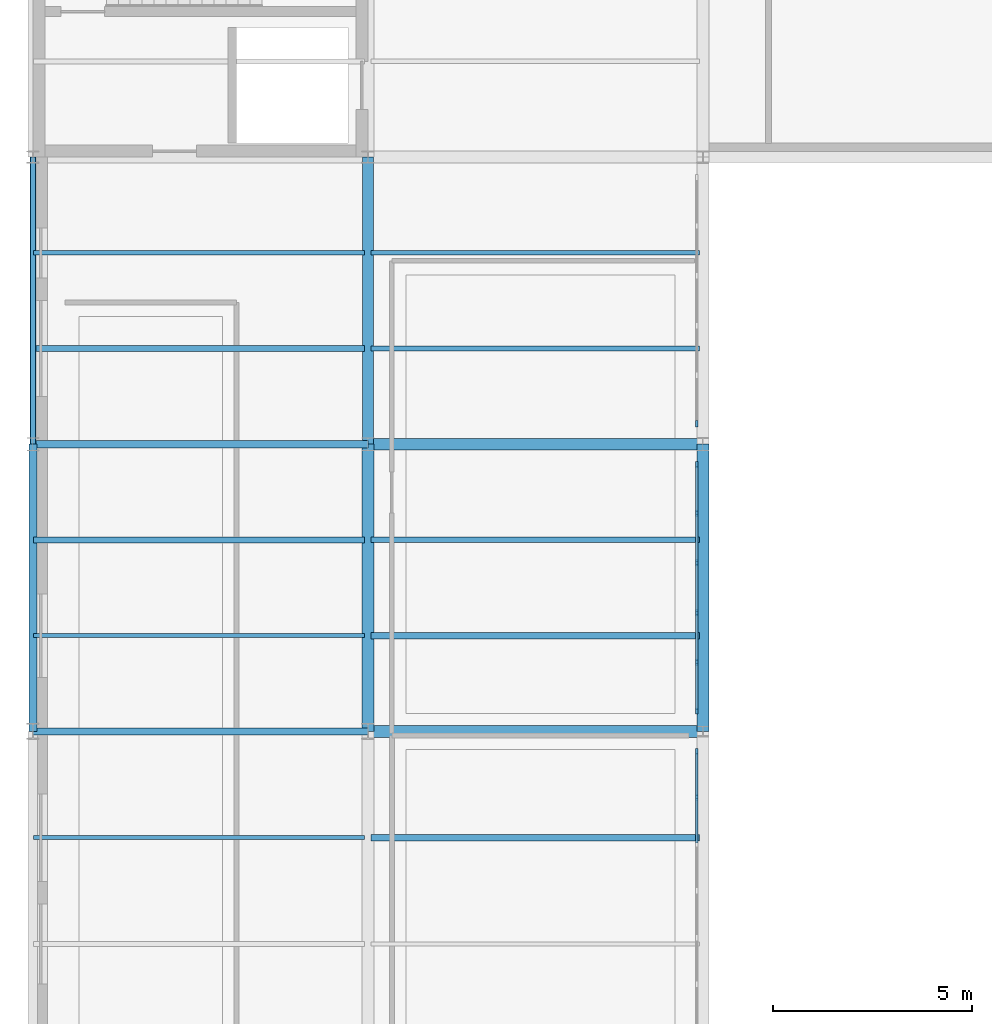
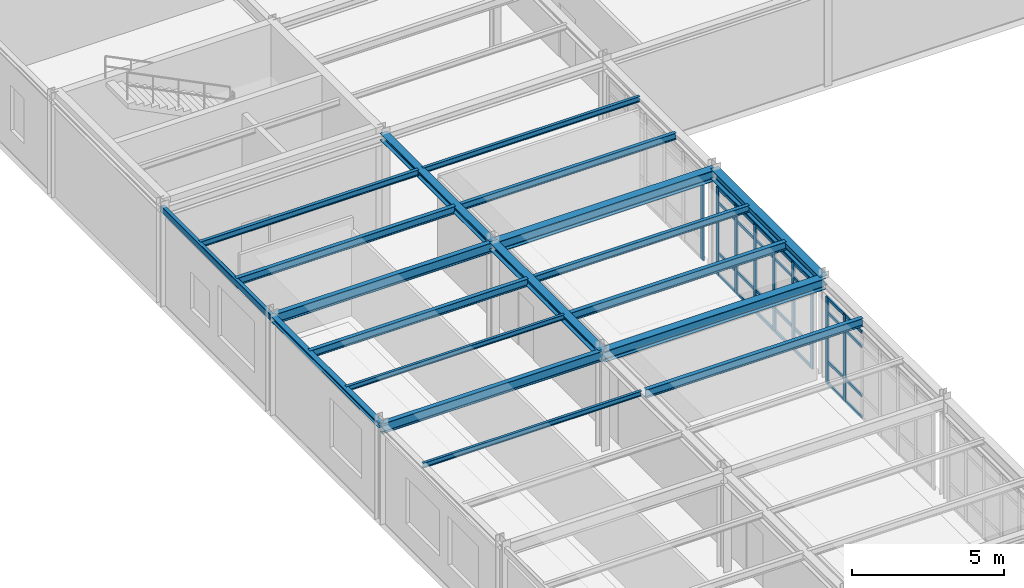
# One storey, part 41 of 90: 37 members, 19 beams, 3 elements without a shape of their own.
"""IFC4 building model written with IfcOpenShell, lengths in metres."""

from ifc_helpers import new_model, si_unit, derived_unit, direction, frame, origin, origin_2d, place, context, subcontext, project, spatial, rectangle, hollow_rectangle, i_section, extrude, material, layer, layer_set, material_profile, profile_set, type_object, element, aggregate, save


model = new_model("IFC4")

# Units and contexts
model_context = context("Model", 3, precision=1e-05, world=origin(), true_north=direction((0.0, 1.0)))
body_context = subcontext(model_context, "Body", "Model", "MODEL_VIEW")
ifc_project = project(units=[si_unit("LENGTHUNIT", "METRE"), si_unit("AREAUNIT", "SQUARE_METRE"), si_unit("VOLUMEUNIT", "CUBIC_METRE"), si_unit("PLANEANGLEUNIT", "RADIAN"), si_unit("MASSUNIT", "GRAM", prefix="KILO"), derived_unit("THERMALTRANSMITTANCEUNIT", [(si_unit("POWERUNIT", "WATT"), 1), (si_unit("AREAUNIT", "SQUARE_METRE"), -1), (si_unit("THERMODYNAMICTEMPERATUREUNIT", "KELVIN"), -1)])], contexts=[model_context])

# Site, building, storey
site_placement = place(None, origin())
site = spatial("IfcSite", under=ifc_project, at=site_placement, CompositionType="ELEMENT")
building_placement = place(site_placement, origin())
building = spatial("IfcBuilding", under=site, at=building_placement, Name="Yasenodar Specialist Clinic", CompositionType="ELEMENT")
storey_placement = place(building_placement, frame((0.0, 0.0, 9.0)))
storey = spatial("IfcBuildingStorey", under=building, at=storey_placement, Name="L02", CompositionType="ELEMENT", Elevation=9.0)

# Beams
ifc_material_1 = material(Name="Steel S355", Category="steel")
ifc_material_profile_1 = material_profile(ifc_material_1, i_section(OverallWidth=0.300048828125, OverallDepth=0.43994140625, WebThickness=0.011474609375, FlangeThickness=0.02099609375, FilletRadius=0.027099609375, at=origin_2d()), Name="HEA 450")
ifc_profile_set_1 = profile_set([ifc_material_profile_1], Name="Steel S355")
beam_type_1 = type_object("IfcBeamType", Name="BM-HEA450", PredefinedType="BEAM", material=ifc_profile_set_1)
for number, where, z_axis, x_axis, name in (
    (1, (8.39990234375, 82.800048828125, 3.72998046875), (1.0, 0.0, 0.0), (0.0, 1.0, 0.0), "L02 Primary E-W Girder"),
    (2, (8.39990234375, 90.0, 3.72998046875), (1.0, 0.0, 0.0), (0.0, 1.0, 0.0), "L02 Primary E-W Girder"),
):
    element("IfcBeam", number, at=place(storey_placement, frame(where, z_axis=z_axis, x_axis=x_axis)), inside=storey, type_object=beam_type_1, Name=name, PredefinedType="BEAM", context=body_context, shape_type="SweptSolid", body=[
        extrude(i_section(OverallWidth=0.300048828125, OverallDepth=0.43994140625, WebThickness=0.011474609375, FlangeThickness=0.02099609375, FilletRadius=0.027099609375, at=origin_2d()), origin(), (0.0, 0.0, 1.0), 8.400146484375),
    ])
ifc_material_profile_2 = material_profile(ifc_material_1, i_section(OverallWidth=0.280029296875, OverallDepth=0.280029296875, WebThickness=0.010498046875, FlangeThickness=0.01806640625, FilletRadius=0.02392578125, at=origin_2d()), Name="HEB 280")
ifc_profile_set_2 = profile_set([ifc_material_profile_2], Name="Steel S355")
beam_type_2 = type_object("IfcBeamType", Name="BM-HEB280", PredefinedType="BEAM", material=ifc_profile_set_2)
beam_1_placement = place(storey_placement, frame((8.39990234375, 90.0, 3.81005859375), z_axis=(0.0, 1.0, 0.0), x_axis=(-1.0, 0.0, 0.0)))
element("IfcBeam", 3, at=beam_1_placement, inside=storey, type_object=beam_type_2, Name="L02 Primary N-S Girder", PredefinedType="BEAM", context=body_context, shape_type="SweptSolid", body=[
    extrude(i_section(OverallWidth=0.280029296875, OverallDepth=0.280029296875, WebThickness=0.010498046875, FlangeThickness=0.01806640625, FilletRadius=0.02392578125, at=origin_2d()), origin(), (0.0, 0.0, 1.0), 7.199951171875),
])
ifc_material_profile_3 = material_profile(ifc_material_1, i_section(OverallWidth=0.300048828125, OverallDepth=0.300048828125, WebThickness=0.010986328125, FlangeThickness=0.01904296875, FilletRadius=0.027099609375, at=origin_2d()), Name="HEB 300")
ifc_profile_set_3 = profile_set([ifc_material_profile_3], Name="Steel S355")
beam_type_3 = type_object("IfcBeamType", Name="BM-HEB300", PredefinedType="BEAM", material=ifc_profile_set_3)
beam_2_placement = place(storey_placement, frame((8.39990234375, 82.800048828125, 3.800048828125), z_axis=(0.0, 1.0, 0.0), x_axis=(-1.0, 0.0, 0.0)))
element("IfcBeam", 4, at=beam_2_placement, inside=storey, type_object=beam_type_3, Name="L02 Primary N-S Girder", PredefinedType="BEAM", context=body_context, shape_type="SweptSolid", body=[
    extrude(i_section(OverallWidth=0.300048828125, OverallDepth=0.300048828125, WebThickness=0.010986328125, FlangeThickness=0.01904296875, FilletRadius=0.027099609375, at=origin_2d()), origin(), (0.0, 0.0, 1.0), 7.199951171875),
])
ifc_material_profile_4 = material_profile(ifc_material_1, i_section(OverallWidth=0.300048828125, OverallDepth=0.39990234375, WebThickness=0.013427734375, FlangeThickness=0.02392578125, FilletRadius=0.027099609375, at=origin_2d()), Name="HEB 400")
ifc_profile_set_4 = profile_set([ifc_material_profile_4], Name="Steel S355")
beam_type_4 = type_object("IfcBeamType", Name="BM-HEB400", PredefinedType="BEAM", material=ifc_profile_set_4)
beam_3_placement = place(storey_placement, frame((16.800048828125, 82.800048828125, 3.75), z_axis=(0.0, 1.0, 0.0), x_axis=(-1.0, 0.0, 0.0)))
element("IfcBeam", 5, at=beam_3_placement, inside=storey, type_object=beam_type_4, Name="L02 Primary N-S Girder", PredefinedType="BEAM", context=body_context, shape_type="SweptSolid", body=[
    extrude(i_section(OverallWidth=0.300048828125, OverallDepth=0.39990234375, WebThickness=0.013427734375, FlangeThickness=0.02392578125, FilletRadius=0.027099609375, at=origin_2d()), origin(), (0.0, 0.0, 1.0), 7.199951171875),
])
ifc_material_profile_5 = material_profile(ifc_material_1, i_section(OverallWidth=0.179931640625, OverallDepth=0.39990234375, WebThickness=0.008544921875, FlangeThickness=0.013427734375, FilletRadius=0.02099609375, at=origin_2d()), Name="IPE 400")
ifc_profile_set_5 = profile_set([ifc_material_profile_5], Name="Steel S355")
beam_type_5 = type_object("IfcBeamType", Name="BM-IPE400", PredefinedType="BEAM", material=ifc_profile_set_5)
for number, where, z_axis, x_axis, name in (
    (6, (0.0, 82.800048828125, 3.75), (1.0, 0.0, 0.0), (0.0, 1.0, 0.0), "L02 Primary E-W Girder"),
    (7, (0.0, 90.0, 3.75), (1.0, 0.0, 0.0), (0.0, 1.0, 0.0), "L02 Primary E-W Girder"),
):
    element("IfcBeam", number, at=place(storey_placement, frame(where, z_axis=z_axis, x_axis=x_axis)), inside=storey, type_object=beam_type_5, Name=name, PredefinedType="BEAM", context=body_context, shape_type="SweptSolid", body=[
        extrude(i_section(OverallWidth=0.179931640625, OverallDepth=0.39990234375, WebThickness=0.008544921875, FlangeThickness=0.013427734375, FilletRadius=0.02099609375, at=origin_2d()), origin(), (0.0, 0.0, 1.0), 8.39990234375),
    ])

# Curtain wall, member
ifc_material_2 = material(Name="Bronze Anodized Aluminium and Triple Low-E Glass", Category="aluminium")
ifc_layer = layer(ifc_material_2, 0.202880859375)
ifc_layer_set = layer_set([ifc_layer], Name="Bronze Anodized Aluminium and Triple Low-E Glass")
curtain_wall_type = type_object("IfcCurtainWallType", Name="CW-SYS-04", PredefinedType="USERDEFINED", material=ifc_layer_set)
curtain_wall_1_placement = place(storey_placement, origin())
curtain_wall_1 = element("IfcCurtainWall", 8, at=curtain_wall_1_placement, inside=storey, type_object=curtain_wall_type, Name="L02 Unitised Curtain Wall 126", ObjectType="UNITISED CURTAIN WALL", PredefinedType="USERDEFINED")
ifc_material_3 = material(Name="Bronze Anodized Aluminium", Category="aluminium")
ifc_material_profile_6 = material_profile(ifc_material_3, rectangle(XDim=0.06005859375, YDim=0.159912109375, at=origin_2d()), Name="CW-MULL 60x160")
ifc_profile_set_6 = profile_set([ifc_material_profile_6], Name="Bronze Anodized Aluminium")
member_type_1 = type_object("IfcMemberType", Name="CW-MULL-160", PredefinedType="MULLION", material=ifc_profile_set_6)
member_1_placement = place(storey_placement, frame((16.64990234375, 90.510009765625, 0.0), z_axis=(0.0, 0.0, 1.0), x_axis=(1.0, 0.0, 0.0)))
member_1 = element("IfcMember", 9, at=member_1_placement, type_object=member_type_1, Name="CW-04 mullion 6", PredefinedType="MULLION", context=body_context, shape_type="SweptSolid", body=[
    extrude(rectangle(XDim=0.06005859375, YDim=0.159912109375, at=origin_2d()), origin(), (0.0, 0.0, 1.0), 3.587890625),
])
aggregate(curtain_wall_1, [member_1])

# Curtain wall, members
curtain_wall_2_placement = place(storey_placement, origin())
curtain_wall_2 = element("IfcCurtainWall", 10, at=curtain_wall_2_placement, inside=storey, type_object=curtain_wall_type, Name="L02 Unitised Curtain Wall 127", ObjectType="UNITISED CURTAIN WALL", PredefinedType="USERDEFINED")
member_2_placement = place(storey_placement, frame((16.64990234375, 89.489990234375, 0.0), z_axis=(0.0, 0.0, 1.0), x_axis=(1.0, 0.0, 0.0)))
member_2 = element("IfcMember", 11, at=member_2_placement, type_object=member_type_1, Name="CW-04 mullion 1", PredefinedType="MULLION", context=body_context, shape_type="SweptSolid", body=[
    extrude(rectangle(XDim=0.06005859375, YDim=0.159912109375, at=origin_2d()), origin(), (0.0, 0.0, 1.0), 3.528076171875),
])
member_3_placement = place(storey_placement, frame((16.64990234375, 88.27197265625, 0.0), z_axis=(0.0, 0.0, 1.0), x_axis=(1.0, 0.0, 0.0)))
member_3 = element("IfcMember", 12, at=member_3_placement, type_object=member_type_1, Name="CW-04 mullion 2", PredefinedType="MULLION", context=body_context, shape_type="SweptSolid", body=[
    extrude(rectangle(XDim=0.06005859375, YDim=0.159912109375, at=origin_2d()), origin(), (0.0, 0.0, 1.0), 3.528076171875),
])
member_4_placement = place(storey_placement, frame((16.64990234375, 87.02392578125, 0.0), z_axis=(0.0, 0.0, 1.0), x_axis=(1.0, 0.0, 0.0)))
member_4 = element("IfcMember", 13, at=member_4_placement, type_object=member_type_1, Name="CW-04 mullion 3", PredefinedType="MULLION", context=body_context, shape_type="SweptSolid", body=[
    extrude(rectangle(XDim=0.06005859375, YDim=0.159912109375, at=origin_2d()), origin(), (0.0, 0.0, 1.0), 3.528076171875),
])
member_5_placement = place(storey_placement, frame((16.64990234375, 85.77587890625, 0.0), z_axis=(0.0, 0.0, 1.0), x_axis=(1.0, 0.0, 0.0)))
member_5 = element("IfcMember", 14, at=member_5_placement, type_object=member_type_1, Name="CW-04 mullion 4", PredefinedType="MULLION", context=body_context, shape_type="SweptSolid", body=[
    extrude(rectangle(XDim=0.06005859375, YDim=0.159912109375, at=origin_2d()), origin(), (0.0, 0.0, 1.0), 3.528076171875),
])
member_6_placement = place(storey_placement, frame((16.64990234375, 84.528076171875, 0.0), z_axis=(0.0, 0.0, 1.0), x_axis=(1.0, 0.0, 0.0)))
member_6 = element("IfcMember", 15, at=member_6_placement, type_object=member_type_1, Name="CW-04 mullion 5", PredefinedType="MULLION", context=body_context, shape_type="SweptSolid", body=[
    extrude(rectangle(XDim=0.06005859375, YDim=0.159912109375, at=origin_2d()), origin(), (0.0, 0.0, 1.0), 3.528076171875),
])
member_7_placement = place(storey_placement, frame((16.64990234375, 83.31005859375, 0.0), z_axis=(0.0, 0.0, 1.0), x_axis=(1.0, 0.0, 0.0)))
member_7 = element("IfcMember", 16, at=member_7_placement, type_object=member_type_1, Name="CW-04 mullion 6", PredefinedType="MULLION", context=body_context, shape_type="SweptSolid", body=[
    extrude(rectangle(XDim=0.06005859375, YDim=0.159912109375, at=origin_2d()), origin(), (0.0, 0.0, 1.0), 3.528076171875),
])

curtain_wall_3_placement = place(storey_placement, origin())
curtain_wall_3 = element("IfcCurtainWall", 17, at=curtain_wall_3_placement, inside=storey, type_object=curtain_wall_type, Name="L02 Unitised Curtain Wall 128", ObjectType="UNITISED CURTAIN WALL", PredefinedType="USERDEFINED")
member_8_placement = place(storey_placement, frame((16.64990234375, 82.2900390625, 0.0), z_axis=(0.0, 0.0, 1.0), x_axis=(1.0, 0.0, 0.0)))
member_8 = element("IfcMember", 18, at=member_8_placement, type_object=member_type_1, Name="CW-04 mullion 1", PredefinedType="MULLION", context=body_context, shape_type="SweptSolid", body=[
    extrude(rectangle(XDim=0.06005859375, YDim=0.159912109375, at=origin_2d()), origin(), (0.0, 0.0, 1.0), 3.47802734375),
])
member_9_placement = place(storey_placement, frame((16.64990234375, 81.146728515625, 0.0), z_axis=(0.0, 0.0, 1.0), x_axis=(1.0, 0.0, 0.0)))
member_9 = element("IfcMember", 19, at=member_9_placement, type_object=member_type_1, Name="CW-04 mullion 2", PredefinedType="MULLION", context=body_context, shape_type="SweptSolid", body=[
    extrude(rectangle(XDim=0.06005859375, YDim=0.159912109375, at=origin_2d()), origin(), (0.0, 0.0, 1.0), 3.47802734375),
])

# Member
ifc_material_profile_7 = material_profile(ifc_material_3, rectangle(XDim=0.06005859375, YDim=0.1201171875, at=origin_2d()), Name="CW-TRAN 60x120")
ifc_profile_set_7 = profile_set([ifc_material_profile_7], Name="Bronze Anodized Aluminium")
member_type_2 = type_object("IfcMemberType", Name="CW-TRAN-120", PredefinedType="USERDEFINED", material=ifc_profile_set_7)
member_10_placement = place(storey_placement, frame((16.64990234375, 89.4599609375, 0.030029296875), z_axis=(0.0, -1.0, 0.0), x_axis=(1.0, 0.0, 0.0)))
member_10 = element("IfcMember", 20, at=member_10_placement, type_object=member_type_2, Name="CW-04 transom 1.1", ObjectType="TRANSOM", PredefinedType="USERDEFINED", context=body_context, shape_type="SweptSolid", body=[
    extrude(rectangle(XDim=0.06005859375, YDim=0.1201171875, at=origin_2d()), origin(), (0.0, 0.0, 1.0), 1.157958984375),
])

member_11_placement = place(storey_placement, frame((16.64990234375, 89.4599609375, 0.89990234375), z_axis=(0.0, -1.0, 0.0), x_axis=(1.0, 0.0, 0.0)))
member_11 = element("IfcMember", 21, at=member_11_placement, type_object=member_type_2, Name="CW-04 transom 1.2", ObjectType="TRANSOM", PredefinedType="USERDEFINED", context=body_context, shape_type="SweptSolid", body=[
    extrude(rectangle(XDim=0.06005859375, YDim=0.1201171875, at=origin_2d()), origin(), (0.0, 0.0, 1.0), 1.157958984375),
])

member_12_placement = place(storey_placement, frame((16.64990234375, 89.4599609375, 2.927978515625), z_axis=(0.0, -1.0, 0.0), x_axis=(1.0, 0.0, 0.0)))
member_12 = element("IfcMember", 22, at=member_12_placement, type_object=member_type_2, Name="CW-04 transom 1.3", ObjectType="TRANSOM", PredefinedType="USERDEFINED", context=body_context, shape_type="SweptSolid", body=[
    extrude(rectangle(XDim=0.06005859375, YDim=0.1201171875, at=origin_2d()), origin(), (0.0, 0.0, 1.0), 1.157958984375),
])

member_13_placement = place(storey_placement, frame((16.64990234375, 89.4599609375, 3.498046875), z_axis=(0.0, -1.0, 0.0), x_axis=(1.0, 0.0, 0.0)))
member_13 = element("IfcMember", 23, at=member_13_placement, type_object=member_type_2, Name="CW-04 transom 1.4", ObjectType="TRANSOM", PredefinedType="USERDEFINED", context=body_context, shape_type="SweptSolid", body=[
    extrude(rectangle(XDim=0.06005859375, YDim=0.1201171875, at=origin_2d()), origin(), (0.0, 0.0, 1.0), 1.157958984375),
])

member_14_placement = place(storey_placement, frame((16.64990234375, 88.241943359375, 0.030029296875), z_axis=(0.0, -1.0, 0.0), x_axis=(1.0, 0.0, 0.0)))
member_14 = element("IfcMember", 24, at=member_14_placement, type_object=member_type_2, Name="CW-04 transom 2.1", ObjectType="TRANSOM", PredefinedType="USERDEFINED", context=body_context, shape_type="SweptSolid", body=[
    extrude(rectangle(XDim=0.06005859375, YDim=0.1201171875, at=origin_2d()), origin(), (0.0, 0.0, 1.0), 1.18798828125),
])

member_15_placement = place(storey_placement, frame((16.64990234375, 88.241943359375, 0.89990234375), z_axis=(0.0, -1.0, 0.0), x_axis=(1.0, 0.0, 0.0)))
member_15 = element("IfcMember", 25, at=member_15_placement, type_object=member_type_2, Name="CW-04 transom 2.2", ObjectType="TRANSOM", PredefinedType="USERDEFINED", context=body_context, shape_type="SweptSolid", body=[
    extrude(rectangle(XDim=0.06005859375, YDim=0.1201171875, at=origin_2d()), origin(), (0.0, 0.0, 1.0), 1.18798828125),
])

member_16_placement = place(storey_placement, frame((16.64990234375, 88.241943359375, 2.927978515625), z_axis=(0.0, -1.0, 0.0), x_axis=(1.0, 0.0, 0.0)))
member_16 = element("IfcMember", 26, at=member_16_placement, type_object=member_type_2, Name="CW-04 transom 2.3", ObjectType="TRANSOM", PredefinedType="USERDEFINED", context=body_context, shape_type="SweptSolid", body=[
    extrude(rectangle(XDim=0.06005859375, YDim=0.1201171875, at=origin_2d()), origin(), (0.0, 0.0, 1.0), 1.18798828125),
])

member_17_placement = place(storey_placement, frame((16.64990234375, 88.241943359375, 3.498046875), z_axis=(0.0, -1.0, 0.0), x_axis=(1.0, 0.0, 0.0)))
member_17 = element("IfcMember", 27, at=member_17_placement, type_object=member_type_2, Name="CW-04 transom 2.4", ObjectType="TRANSOM", PredefinedType="USERDEFINED", context=body_context, shape_type="SweptSolid", body=[
    extrude(rectangle(XDim=0.06005859375, YDim=0.1201171875, at=origin_2d()), origin(), (0.0, 0.0, 1.0), 1.18798828125),
])

member_18_placement = place(storey_placement, frame((16.64990234375, 86.993896484375, 0.030029296875), z_axis=(0.0, -1.0, 0.0), x_axis=(1.0, 0.0, 0.0)))
member_18 = element("IfcMember", 28, at=member_18_placement, type_object=member_type_2, Name="CW-04 transom 3.1", ObjectType="TRANSOM", PredefinedType="USERDEFINED", context=body_context, shape_type="SweptSolid", body=[
    extrude(rectangle(XDim=0.06005859375, YDim=0.1201171875, at=origin_2d()), origin(), (0.0, 0.0, 1.0), 1.18798828125),
])

member_19_placement = place(storey_placement, frame((16.64990234375, 86.993896484375, 0.89990234375), z_axis=(0.0, -1.0, 0.0), x_axis=(1.0, 0.0, 0.0)))
member_19 = element("IfcMember", 29, at=member_19_placement, type_object=member_type_2, Name="CW-04 transom 3.2", ObjectType="TRANSOM", PredefinedType="USERDEFINED", context=body_context, shape_type="SweptSolid", body=[
    extrude(rectangle(XDim=0.06005859375, YDim=0.1201171875, at=origin_2d()), origin(), (0.0, 0.0, 1.0), 1.18798828125),
])

member_20_placement = place(storey_placement, frame((16.64990234375, 86.993896484375, 2.927978515625), z_axis=(0.0, -1.0, 0.0), x_axis=(1.0, 0.0, 0.0)))
member_20 = element("IfcMember", 30, at=member_20_placement, type_object=member_type_2, Name="CW-04 transom 3.3", ObjectType="TRANSOM", PredefinedType="USERDEFINED", context=body_context, shape_type="SweptSolid", body=[
    extrude(rectangle(XDim=0.06005859375, YDim=0.1201171875, at=origin_2d()), origin(), (0.0, 0.0, 1.0), 1.18798828125),
])

member_21_placement = place(storey_placement, frame((16.64990234375, 86.993896484375, 3.498046875), z_axis=(0.0, -1.0, 0.0), x_axis=(1.0, 0.0, 0.0)))
member_21 = element("IfcMember", 31, at=member_21_placement, type_object=member_type_2, Name="CW-04 transom 3.4", ObjectType="TRANSOM", PredefinedType="USERDEFINED", context=body_context, shape_type="SweptSolid", body=[
    extrude(rectangle(XDim=0.06005859375, YDim=0.1201171875, at=origin_2d()), origin(), (0.0, 0.0, 1.0), 1.18798828125),
])

member_22_placement = place(storey_placement, frame((16.64990234375, 85.74609375, 0.030029296875), z_axis=(0.0, -1.0, 0.0), x_axis=(1.0, 0.0, 0.0)))
member_22 = element("IfcMember", 32, at=member_22_placement, type_object=member_type_2, Name="CW-04 transom 4.1", ObjectType="TRANSOM", PredefinedType="USERDEFINED", context=body_context, shape_type="SweptSolid", body=[
    extrude(rectangle(XDim=0.06005859375, YDim=0.1201171875, at=origin_2d()), origin(), (0.0, 0.0, 1.0), 1.18798828125),
])

member_23_placement = place(storey_placement, frame((16.64990234375, 85.74609375, 0.89990234375), z_axis=(0.0, -1.0, 0.0), x_axis=(1.0, 0.0, 0.0)))
member_23 = element("IfcMember", 33, at=member_23_placement, type_object=member_type_2, Name="CW-04 transom 4.2", ObjectType="TRANSOM", PredefinedType="USERDEFINED", context=body_context, shape_type="SweptSolid", body=[
    extrude(rectangle(XDim=0.06005859375, YDim=0.1201171875, at=origin_2d()), origin(), (0.0, 0.0, 1.0), 1.18798828125),
])

member_24_placement = place(storey_placement, frame((16.64990234375, 85.74609375, 2.927978515625), z_axis=(0.0, -1.0, 0.0), x_axis=(1.0, 0.0, 0.0)))
member_24 = element("IfcMember", 34, at=member_24_placement, type_object=member_type_2, Name="CW-04 transom 4.3", ObjectType="TRANSOM", PredefinedType="USERDEFINED", context=body_context, shape_type="SweptSolid", body=[
    extrude(rectangle(XDim=0.06005859375, YDim=0.1201171875, at=origin_2d()), origin(), (0.0, 0.0, 1.0), 1.18798828125),
])

member_25_placement = place(storey_placement, frame((16.64990234375, 85.74609375, 3.498046875), z_axis=(0.0, -1.0, 0.0), x_axis=(1.0, 0.0, 0.0)))
member_25 = element("IfcMember", 35, at=member_25_placement, type_object=member_type_2, Name="CW-04 transom 4.4", ObjectType="TRANSOM", PredefinedType="USERDEFINED", context=body_context, shape_type="SweptSolid", body=[
    extrude(rectangle(XDim=0.06005859375, YDim=0.1201171875, at=origin_2d()), origin(), (0.0, 0.0, 1.0), 1.18798828125),
])

member_26_placement = place(storey_placement, frame((16.64990234375, 84.498046875, 0.030029296875), z_axis=(0.0, -1.0, 0.0), x_axis=(1.0, 0.0, 0.0)))
member_26 = element("IfcMember", 36, at=member_26_placement, type_object=member_type_2, Name="CW-04 transom 5.1", ObjectType="TRANSOM", PredefinedType="USERDEFINED", context=body_context, shape_type="SweptSolid", body=[
    extrude(rectangle(XDim=0.06005859375, YDim=0.1201171875, at=origin_2d()), origin(), (0.0, 0.0, 1.0), 1.157958984375),
])

member_27_placement = place(storey_placement, frame((16.64990234375, 84.498046875, 0.89990234375), z_axis=(0.0, -1.0, 0.0), x_axis=(1.0, 0.0, 0.0)))
member_27 = element("IfcMember", 37, at=member_27_placement, type_object=member_type_2, Name="CW-04 transom 5.2", ObjectType="TRANSOM", PredefinedType="USERDEFINED", context=body_context, shape_type="SweptSolid", body=[
    extrude(rectangle(XDim=0.06005859375, YDim=0.1201171875, at=origin_2d()), origin(), (0.0, 0.0, 1.0), 1.157958984375),
])

member_28_placement = place(storey_placement, frame((16.64990234375, 84.498046875, 2.927978515625), z_axis=(0.0, -1.0, 0.0), x_axis=(1.0, 0.0, 0.0)))
member_28 = element("IfcMember", 38, at=member_28_placement, type_object=member_type_2, Name="CW-04 transom 5.3", ObjectType="TRANSOM", PredefinedType="USERDEFINED", context=body_context, shape_type="SweptSolid", body=[
    extrude(rectangle(XDim=0.06005859375, YDim=0.1201171875, at=origin_2d()), origin(), (0.0, 0.0, 1.0), 1.157958984375),
])

member_29_placement = place(storey_placement, frame((16.64990234375, 84.498046875, 3.498046875), z_axis=(0.0, -1.0, 0.0), x_axis=(1.0, 0.0, 0.0)))
member_29 = element("IfcMember", 39, at=member_29_placement, type_object=member_type_2, Name="CW-04 transom 5.4", ObjectType="TRANSOM", PredefinedType="USERDEFINED", context=body_context, shape_type="SweptSolid", body=[
    extrude(rectangle(XDim=0.06005859375, YDim=0.1201171875, at=origin_2d()), origin(), (0.0, 0.0, 1.0), 1.157958984375),
])

aggregate(curtain_wall_2, [member_2, member_3, member_4, member_5, member_6, member_7, member_10, member_11, member_12, member_13, member_14, member_15, member_16, member_17, member_18, member_19, member_20, member_21, member_22, member_23, member_24, member_25, member_26, member_27, member_28, member_29])

member_30_placement = place(storey_placement, frame((16.64990234375, 82.260009765625, 0.030029296875), z_axis=(0.0, -1.0, 0.0), x_axis=(1.0, 0.0, 0.0)))
member_30 = element("IfcMember", 40, at=member_30_placement, type_object=member_type_2, Name="CW-04 transom 1.1", ObjectType="TRANSOM", PredefinedType="USERDEFINED", context=body_context, shape_type="SweptSolid", body=[
    extrude(rectangle(XDim=0.06005859375, YDim=0.1201171875, at=origin_2d()), origin(), (0.0, 0.0, 1.0), 1.083251953125),
])

member_31_placement = place(storey_placement, frame((16.64990234375, 82.260009765625, 0.89990234375), z_axis=(0.0, -1.0, 0.0), x_axis=(1.0, 0.0, 0.0)))
member_31 = element("IfcMember", 41, at=member_31_placement, type_object=member_type_2, Name="CW-04 transom 1.2", ObjectType="TRANSOM", PredefinedType="USERDEFINED", context=body_context, shape_type="SweptSolid", body=[
    extrude(rectangle(XDim=0.06005859375, YDim=0.1201171875, at=origin_2d()), origin(), (0.0, 0.0, 1.0), 1.083251953125),
])

member_32_placement = place(storey_placement, frame((16.64990234375, 82.260009765625, 2.8779296875), z_axis=(0.0, -1.0, 0.0), x_axis=(1.0, 0.0, 0.0)))
member_32 = element("IfcMember", 42, at=member_32_placement, type_object=member_type_2, Name="CW-04 transom 1.3", ObjectType="TRANSOM", PredefinedType="USERDEFINED", context=body_context, shape_type="SweptSolid", body=[
    extrude(rectangle(XDim=0.06005859375, YDim=0.1201171875, at=origin_2d()), origin(), (0.0, 0.0, 1.0), 1.083251953125),
])

member_33_placement = place(storey_placement, frame((16.64990234375, 82.260009765625, 3.447998046875), z_axis=(0.0, -1.0, 0.0), x_axis=(1.0, 0.0, 0.0)))
member_33 = element("IfcMember", 43, at=member_33_placement, type_object=member_type_2, Name="CW-04 transom 1.4", ObjectType="TRANSOM", PredefinedType="USERDEFINED", context=body_context, shape_type="SweptSolid", body=[
    extrude(rectangle(XDim=0.06005859375, YDim=0.1201171875, at=origin_2d()), origin(), (0.0, 0.0, 1.0), 1.083251953125),
])

member_34_placement = place(storey_placement, frame((16.64990234375, 81.11669921875, 0.030029296875), z_axis=(0.0, -1.0, 0.0), x_axis=(1.0, 0.0, 0.0)))
member_34 = element("IfcMember", 44, at=member_34_placement, type_object=member_type_2, Name="CW-04 transom 2.1", ObjectType="TRANSOM", PredefinedType="USERDEFINED", context=body_context, shape_type="SweptSolid", body=[
    extrude(rectangle(XDim=0.06005859375, YDim=0.1201171875, at=origin_2d()), origin(), (0.0, 0.0, 1.0), 1.11328125),
])

member_35_placement = place(storey_placement, frame((16.64990234375, 81.11669921875, 0.89990234375), z_axis=(0.0, -1.0, 0.0), x_axis=(1.0, 0.0, 0.0)))
member_35 = element("IfcMember", 45, at=member_35_placement, type_object=member_type_2, Name="CW-04 transom 2.2", ObjectType="TRANSOM", PredefinedType="USERDEFINED", context=body_context, shape_type="SweptSolid", body=[
    extrude(rectangle(XDim=0.06005859375, YDim=0.1201171875, at=origin_2d()), origin(), (0.0, 0.0, 1.0), 1.11328125),
])

member_36_placement = place(storey_placement, frame((16.64990234375, 81.11669921875, 2.8779296875), z_axis=(0.0, -1.0, 0.0), x_axis=(1.0, 0.0, 0.0)))
member_36 = element("IfcMember", 46, at=member_36_placement, type_object=member_type_2, Name="CW-04 transom 2.3", ObjectType="TRANSOM", PredefinedType="USERDEFINED", context=body_context, shape_type="SweptSolid", body=[
    extrude(rectangle(XDim=0.06005859375, YDim=0.1201171875, at=origin_2d()), origin(), (0.0, 0.0, 1.0), 1.11328125),
])

member_37_placement = place(storey_placement, frame((16.64990234375, 81.11669921875, 3.447998046875), z_axis=(0.0, -1.0, 0.0), x_axis=(1.0, 0.0, 0.0)))
member_37 = element("IfcMember", 47, at=member_37_placement, type_object=member_type_2, Name="CW-04 transom 2.4", ObjectType="TRANSOM", PredefinedType="USERDEFINED", context=body_context, shape_type="SweptSolid", body=[
    extrude(rectangle(XDim=0.06005859375, YDim=0.1201171875, at=origin_2d()), origin(), (0.0, 0.0, 1.0), 1.11328125),
])

aggregate(curtain_wall_3, [member_8, member_9, member_30, member_31, member_32, member_33, member_34, member_35, member_36, member_37])

# Beams
ifc_material_profile_8 = material_profile(ifc_material_1, i_section(OverallWidth=0.10009765625, OverallDepth=0.199951171875, WebThickness=0.005615234375, FlangeThickness=0.008544921875, FilletRadius=0.011962890625, at=origin_2d()), Name="IPE 200")
ifc_profile_set_8 = profile_set([ifc_material_profile_8], Name="Steel S355")
beam_type_6 = type_object("IfcBeamType", Name="JS-IPE200", PredefinedType="JOIST", material=ifc_profile_set_8)
for number, where, z_axis, x_axis, name in (
    (48, (0.014892578125, 80.13330078125, 3.85009765625), (1.0, 0.0, 0.0), (0.0, 1.0, 0.0), "L02 Composite Floor Joist"),
    (49, (0.014892578125, 85.199951171875, 3.85009765625), (1.0, 0.0, 0.0), (0.0, 1.0, 0.0), "L02 Composite Floor Joist"),
):
    element("IfcBeam", number, at=place(storey_placement, frame(where, z_axis=z_axis, x_axis=x_axis)), inside=storey, type_object=beam_type_6, Name=name, PredefinedType="JOIST", context=body_context, shape_type="SweptSolid", body=[
        extrude(i_section(OverallWidth=0.10009765625, OverallDepth=0.199951171875, WebThickness=0.005615234375, FlangeThickness=0.008544921875, FilletRadius=0.011962890625, at=origin_2d()), origin(), (0.0, 0.0, 1.0), 8.30517578125),
    ])
ifc_material_profile_9 = material_profile(ifc_material_1, i_section(OverallWidth=0.110107421875, OverallDepth=0.219970703125, WebThickness=0.005859375, FlangeThickness=0.00927734375, FilletRadius=0.011962890625, at=origin_2d()), Name="IPE 220")
ifc_profile_set_9 = profile_set([ifc_material_profile_9], Name="Steel S355")
beam_type_7 = type_object("IfcBeamType", Name="JS-IPE220", PredefinedType="JOIST", material=ifc_profile_set_9)
beam_4_placement = place(storey_placement, frame((8.47998046875, 94.800048828125, 3.840087890625), z_axis=(1.0, 0.0, 0.0), x_axis=(0.0, 1.0, 0.0)))
element("IfcBeam", 50, at=beam_4_placement, inside=storey, type_object=beam_type_7, Name="L02 Composite Floor Joist", PredefinedType="JOIST", context=body_context, shape_type="SweptSolid", body=[
    extrude(i_section(OverallWidth=0.110107421875, OverallDepth=0.219970703125, WebThickness=0.005859375, FlangeThickness=0.00927734375, FilletRadius=0.011962890625, at=origin_2d()), origin(), (0.0, 0.0, 1.0), 8.239990234375),
])
ifc_material_profile_10 = material_profile(ifc_material_1, i_section(OverallWidth=0.1201171875, OverallDepth=0.239990234375, WebThickness=0.006103515625, FlangeThickness=0.009765625, FilletRadius=0.014892578125, at=origin_2d()), Name="IPE 240")
ifc_profile_set_10 = profile_set([ifc_material_profile_10], Name="Steel S355")
beam_type_8 = type_object("IfcBeamType", Name="JS-IPE240", PredefinedType="JOIST", material=ifc_profile_set_10)
beam_5_placement = place(storey_placement, frame((0.014892578125, 94.800048828125, 3.830078125), z_axis=(1.0, 0.0, 0.0), x_axis=(0.0, 1.0, 0.0)))
element("IfcBeam", 51, at=beam_5_placement, inside=storey, type_object=beam_type_8, Name="L02 Composite Floor Joist", PredefinedType="JOIST", context=body_context, shape_type="SweptSolid", body=[
    extrude(i_section(OverallWidth=0.1201171875, OverallDepth=0.239990234375, WebThickness=0.006103515625, FlangeThickness=0.009765625, FilletRadius=0.014892578125, at=origin_2d()), origin(), (0.0, 0.0, 1.0), 8.30517578125),
])
ifc_material_profile_11 = material_profile(ifc_material_1, i_section(OverallWidth=0.135009765625, OverallDepth=0.27001953125, WebThickness=0.006591796875, FlangeThickness=0.01025390625, FilletRadius=0.014892578125, at=origin_2d()), Name="IPE 270")
ifc_profile_set_11 = profile_set([ifc_material_profile_11], Name="Steel S355")
beam_type_9 = type_object("IfcBeamType", Name="JS-IPE270", PredefinedType="JOIST", material=ifc_profile_set_11)
for number, where, z_axis, x_axis, name in (
    (52, (8.47998046875, 87.60009765625, 3.81494140625), (1.0, 0.0, 0.0), (0.0, 1.0, 0.0), "L02 Composite Floor Joist"),
    (53, (8.47998046875, 92.39990234375, 3.81494140625), (1.0, 0.0, 0.0), (0.0, 1.0, 0.0), "L02 Composite Floor Joist"),
):
    element("IfcBeam", number, at=place(storey_placement, frame(where, z_axis=z_axis, x_axis=x_axis)), inside=storey, type_object=beam_type_9, Name=name, PredefinedType="JOIST", context=body_context, shape_type="SweptSolid", body=[
        extrude(i_section(OverallWidth=0.135009765625, OverallDepth=0.27001953125, WebThickness=0.006591796875, FlangeThickness=0.01025390625, FilletRadius=0.014892578125, at=origin_2d()), origin(), (0.0, 0.0, 1.0), 8.239990234375),
    ])
ifc_material_profile_12 = material_profile(ifc_material_1, i_section(OverallWidth=0.14990234375, OverallDepth=0.300048828125, WebThickness=0.007080078125, FlangeThickness=0.0107421875, FilletRadius=0.014892578125, at=origin_2d()), Name="IPE 300")
ifc_profile_set_12 = profile_set([ifc_material_profile_12], Name="Steel S355")
beam_type_10 = type_object("IfcBeamType", Name="JS-IPE300", PredefinedType="JOIST", material=ifc_profile_set_12)
for number, where, z_axis, x_axis, name in (
    (54, (0.014892578125, 87.60009765625, 3.800048828125), (1.0, 0.0, 0.0), (0.0, 1.0, 0.0), "L02 Composite Floor Joist"),
    (55, (0.014892578125, 92.39990234375, 3.800048828125), (1.0, 0.0, 0.0), (0.0, 1.0, 0.0), "L02 Composite Floor Joist"),
):
    element("IfcBeam", number, at=place(storey_placement, frame(where, z_axis=z_axis, x_axis=x_axis)), inside=storey, type_object=beam_type_10, Name=name, PredefinedType="JOIST", context=body_context, shape_type="SweptSolid", body=[
        extrude(i_section(OverallWidth=0.14990234375, OverallDepth=0.300048828125, WebThickness=0.007080078125, FlangeThickness=0.0107421875, FilletRadius=0.014892578125, at=origin_2d()), origin(), (0.0, 0.0, 1.0), 8.30517578125),
    ])
ifc_material_profile_13 = material_profile(ifc_material_1, i_section(OverallWidth=0.159912109375, OverallDepth=0.330078125, WebThickness=0.007568359375, FlangeThickness=0.011474609375, FilletRadius=0.01806640625, at=origin_2d()), Name="IPE 330")
ifc_profile_set_13 = profile_set([ifc_material_profile_13], Name="Steel S355")
beam_type_11 = type_object("IfcBeamType", Name="JS-IPE330", PredefinedType="JOIST", material=ifc_profile_set_13)
for number, where, z_axis, x_axis, name in (
    (56, (8.47998046875, 80.13330078125, 3.784912109375), (1.0, 0.0, 0.0), (0.0, 1.0, 0.0), "L02 Composite Floor Joist"),
    (57, (8.47998046875, 85.199951171875, 3.784912109375), (1.0, 0.0, 0.0), (0.0, 1.0, 0.0), "L02 Composite Floor Joist"),
):
    element("IfcBeam", number, at=place(storey_placement, frame(where, z_axis=z_axis, x_axis=x_axis)), inside=storey, type_object=beam_type_11, Name=name, PredefinedType="JOIST", context=body_context, shape_type="SweptSolid", body=[
        extrude(i_section(OverallWidth=0.159912109375, OverallDepth=0.330078125, WebThickness=0.007568359375, FlangeThickness=0.011474609375, FilletRadius=0.01806640625, at=origin_2d()), origin(), (0.0, 0.0, 1.0), 8.239990234375),
    ])
ifc_material_profile_14 = material_profile(ifc_material_1, i_section(OverallWidth=0.199951171875, OverallDepth=0.18994140625, WebThickness=0.006591796875, FlangeThickness=0.010009765625, FilletRadius=0.01806640625, at=origin_2d()), Name="HEA 200")
ifc_profile_set_14 = profile_set([ifc_material_profile_14], Name="Steel S355")
beam_type_12 = type_object("IfcBeamType", Name="SP-HEA200", PredefinedType="SPANDREL", material=ifc_profile_set_14)
beam_6_placement = place(storey_placement, frame((0.0, 82.800048828125, 3.85498046875), z_axis=(0.0, 1.0, 0.0), x_axis=(-1.0, 0.0, 0.0)))
element("IfcBeam", 58, at=beam_6_placement, inside=storey, type_object=beam_type_12, Name="L02 Perimeter Spandrel Beam", PredefinedType="SPANDREL", context=body_context, shape_type="SweptSolid", body=[
    extrude(i_section(OverallWidth=0.199951171875, OverallDepth=0.18994140625, WebThickness=0.006591796875, FlangeThickness=0.010009765625, FilletRadius=0.01806640625, at=origin_2d()), origin(), (0.0, 0.0, 1.0), 7.199951171875),
])
ifc_material_profile_15 = material_profile(ifc_material_1, hollow_rectangle(XDim=0.14990234375, YDim=0.25, WallThickness=0.010009765625, InnerFilletRadius=0.014892578125, OuterFilletRadius=0.02490234375, at=origin_2d()), Name="RHS 250x150x10")
ifc_profile_set_15 = profile_set([ifc_material_profile_15], Name="Steel S355")
beam_type_13 = type_object("IfcBeamType", Name="SP-RHS250", PredefinedType="SPANDREL", material=ifc_profile_set_15)
beam_7_placement = place(storey_placement, frame((0.0, 90.0, 3.824951171875), z_axis=(0.0, 1.0, 0.0), x_axis=(-1.0, 0.0, 0.0)))
element("IfcBeam", 59, at=beam_7_placement, inside=storey, type_object=beam_type_13, Name="L02 Perimeter Spandrel Beam", PredefinedType="SPANDREL", context=body_context, shape_type="SweptSolid", body=[
    extrude(hollow_rectangle(XDim=0.14990234375, YDim=0.25, WallThickness=0.010009765625, InnerFilletRadius=0.014892578125, OuterFilletRadius=0.02490234375, at=origin_2d()), origin(), (0.0, 0.0, 1.0), 7.199951171875),
])

save(model, "model.ifc")
